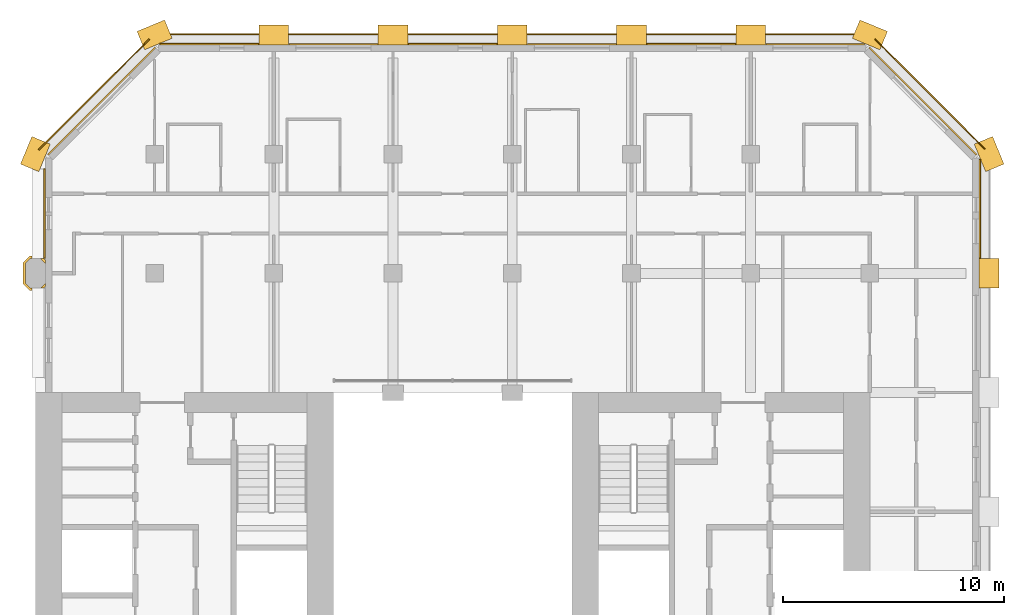
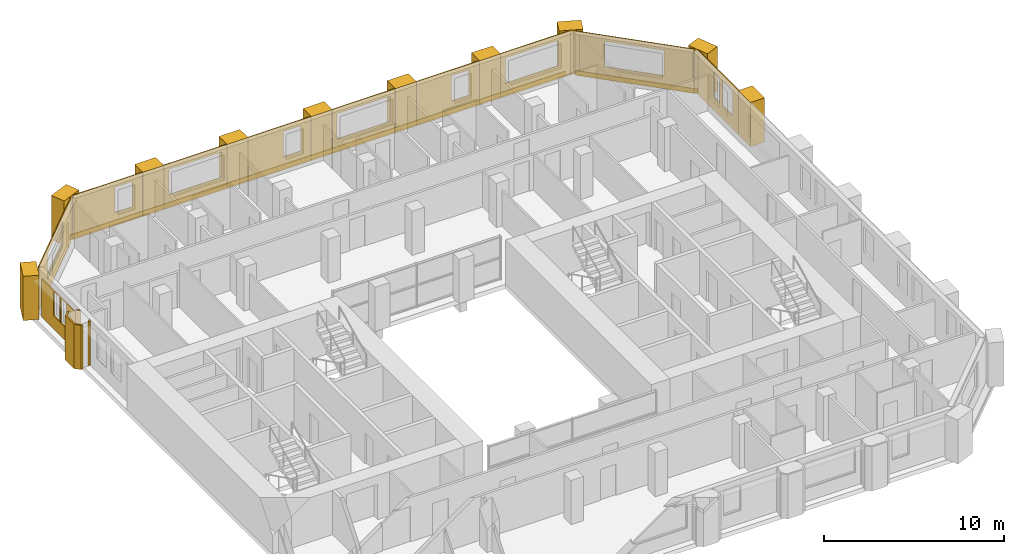
# One storey, part 12 of 12: 26 coverings.
"""IFC4 building model written with IfcOpenShell, lengths in metres."""

from ifc_helpers import new_model, si_unit, direction, frame, frame_2d, origin, place, context, subcontext, project, spatial, polyline, rectangle, outline, extrude, material, layer, layer_set, type_object, element, save


model = new_model("IFC4")

# Units and contexts
model_context = context("Model", 3, precision=1e-05, world=origin(), true_north=direction((0.0, 1.0)))
body_context = subcontext(model_context, "Body", "Model", "MODEL_VIEW")
ifc_project = project(units=[si_unit("LENGTHUNIT", "METRE"), si_unit("AREAUNIT", "SQUARE_METRE"), si_unit("VOLUMEUNIT", "CUBIC_METRE"), si_unit("PLANEANGLEUNIT", "RADIAN"), si_unit("MASSUNIT", "GRAM", prefix="KILO")], contexts=[model_context])

# Site, building, storey
site_placement = place(None, origin())
site = spatial("IfcSite", under=ifc_project, at=site_placement, CompositionType="ELEMENT")
building_placement = place(site_placement, origin())
building = spatial("IfcBuilding", under=site, at=building_placement, Name="Tabaq Tower and Sports Hall", CompositionType="ELEMENT")
storey_placement = place(building_placement, frame((0.0, 0.0, 193.89990234375)))
storey = spatial("IfcBuildingStorey", under=building, at=storey_placement, Name="L47", CompositionType="ELEMENT", Elevation=193.89990234375)

# Coverings
ifc_material_1 = material(Name="Precast concrete C60/75", Category="concrete")
ifc_layer_1 = layer(ifc_material_1, 0.10009765625)
ifc_layer_set_1 = layer_set([ifc_layer_1], Name="Column cladding 100")
covering_type_1 = type_object("IfcCoveringType", Name="Column cladding 100", PredefinedType="CLADDING", material=ifc_layer_set_1)
covering_1_placement = place(storey_placement, origin())
element("IfcCovering", 1, at=covering_1_placement, inside=storey, type_object=covering_type_1, Name="Column cladding L47 PC-2H-H2", PredefinedType="CLADDING", context=body_context, shape_type="SweptSolid", body=[
    extrude(outline(polyline([(5.1337890625, 37.025634765625), (4.8505859375, 37.308837890625), (4.8505859375, 38.291259765625), (5.1337890625, 38.574462890625), (5.24951171875, 38.574462890625), (5.24951171875, 38.4755859375), (5.1748046875, 38.4755859375), (4.949462890625, 38.250244140625), (4.949462890625, 37.349853515625), (5.1748046875, 37.12451171875), (5.24951171875, 37.12451171875), (5.24951171875, 37.025634765625), (5.1337890625, 37.025634765625)])), origin(), (0.0, 0.0, 1.0), 3.0),
])
covering_2_placement = place(storey_placement, origin())
element("IfcCovering", 2, at=covering_2_placement, inside=storey, type_object=covering_type_1, Name="Column cladding L47 PC-2H-H2 2", PredefinedType="CLADDING", context=body_context, shape_type="SweptSolid", body=[
    extrude(outline(polyline([(5.766357421875, 37.125244140625), (5.625732421875, 37.125244140625), (5.849609375, 37.349365234375), (5.849609375, 37.208740234375), (5.766357421875, 37.125244140625)])), origin(), (0.0, 0.0, 1.0), 3.0),
])
covering_3_placement = place(storey_placement, origin())
element("IfcCovering", 3, at=covering_3_placement, inside=storey, type_object=covering_type_1, Name="Column cladding L47 PC-2H-H2 3", PredefinedType="CLADDING", context=body_context, shape_type="SweptSolid", body=[
    extrude(outline(polyline([(5.62646484375, 38.474365234375), (5.76611328125, 38.474365234375), (5.849365234375, 38.39111328125), (5.849365234375, 38.25146484375), (5.62646484375, 38.474365234375)])), origin(), (0.0, 0.0, 1.0), 3.0),
])
ifc_material_2 = material(Name="Precast concrete C60/75", Category="concrete")
ifc_layer_2 = layer(ifc_material_2, 0.06005859375)
ifc_layer_set_2 = layer_set([ifc_layer_2], Name="Edge beam cladding 60")
covering_type_2 = type_object("IfcCoveringType", Name="Edge beam cladding 60", PredefinedType="CLADDING", material=ifc_layer_set_2)
covering_4_placement = place(storey_placement, frame((48.41015625, 43.432373046875, -0.2998046875), z_axis=(0.0, 0.0, 1.0), x_axis=(-0.707106781187, 0.707106781187, 0.0)))
element("IfcCovering", 4, at=covering_4_placement, inside=storey, type_object=covering_type_2, Name="Edge beam cladding L47 3", PredefinedType="CLADDING", context=body_context, shape_type="SweptSolid", body=[
    extrude(rectangle(XDim=7.03955078125, YDim=0.06005859375, at=frame_2d((3.519775390625, 0.0))), origin(), (0.0, 0.0, 1.0), 0.2998046875),
])
covering_5_placement = place(storey_placement, frame((42.9013671875, 48.6298828125, -0.2998046875), z_axis=(0.0, 0.0, 1.0), x_axis=(-1.0, 0.0, 0.0)))
element("IfcCovering", 5, at=covering_5_placement, inside=storey, type_object=covering_type_2, Name="Edge beam cladding L47 4", PredefinedType="CLADDING", context=body_context, shape_type="SweptSolid", body=[
    extrude(rectangle(XDim=31.802734375, YDim=0.06005859375, at=frame_2d((15.9013671875, 0.0))), origin(), (0.0, 0.0, 1.0), 0.2998046875),
])
covering_6_placement = place(storey_placement, frame((10.567626953125, 48.41015625, -0.2998046875), z_axis=(0.0, 0.0, 1.0), x_axis=(-0.707089559252, -0.707124002701, 0.0)))
element("IfcCovering", 6, at=covering_6_placement, inside=storey, type_object=covering_type_2, Name="Edge beam cladding L47 5", PredefinedType="CLADDING", context=body_context, shape_type="SweptSolid", body=[
    extrude(rectangle(XDim=7.088134765625, YDim=0.06005859375, at=frame_2d((3.5439453125, 0.0))), origin(), (0.0, 0.0, 1.0), 0.2998046875),
])
ifc_material_3 = material(Name="White precast concrete C60/75", Category="concrete")
covering_type_3 = type_object("IfcCoveringType", Name="Pier cladding hung 1350x900", PredefinedType="CLADDING", material=ifc_material_3)
for number, where, z_axis, x_axis, name in (
    (7, (5.658203125, 43.82373046875, 0.0), (0.0, 0.0, 1.0), (-0.382649923473, -0.923893411637, 0.0), "Hung pier cladding 1/8"),
    (8, (11.423583984375, 48.8583984375, 0.0), (0.0, 0.0, 1.0), (-0.923893411637, -0.382649923473, 0.0), "Hung pier cladding 2/9"),
    (9, (16.875, 48.60009765625, 0.0), (0.0, 0.0, 1.0), (-1.0, 0.0, 0.0), "Hung pier cladding 3/9"),
):
    element("IfcCovering", number, at=place(storey_placement, frame(where, z_axis=z_axis, x_axis=x_axis)), inside=storey, type_object=covering_type_3, Name=name, PredefinedType="CLADDING", context=body_context, shape_type="SweptSolid", body=[
        extrude(rectangle(XDim=1.35009765625, YDim=0.89990234375, at=frame_2d((0.675048828125, 0.0))), origin(), (0.0, 0.0, 1.0), 3.0),
    ])
covering_7_placement = place(storey_placement, frame((22.27490234375, 48.60009765625, 0.0), z_axis=(0.0, 0.0, 1.0), x_axis=(-1.0, 0.0, 0.0)))
element("IfcCovering", 10, at=covering_7_placement, inside=storey, type_object=covering_type_3, Name="Hung pier cladding 4/9", PredefinedType="CLADDING", context=body_context, shape_type="SweptSolid", body=[
    extrude(rectangle(XDim=1.349853515625, YDim=0.89990234375, at=frame_2d((0.6748046875, 0.0))), origin(), (0.0, 0.0, 1.0), 3.0),
])
covering_8_placement = place(storey_placement, frame((27.675048828125, 48.60009765625, 0.0), z_axis=(0.0, 0.0, 1.0), x_axis=(-1.0, 0.0, 0.0)))
element("IfcCovering", 11, at=covering_8_placement, inside=storey, type_object=covering_type_3, Name="Hung pier cladding 5/9", PredefinedType="CLADDING", context=body_context, shape_type="SweptSolid", body=[
    extrude(rectangle(XDim=1.35009765625, YDim=0.89990234375, at=frame_2d((0.675048828125, 0.0))), origin(), (0.0, 0.0, 1.0), 3.0),
])
covering_9_placement = place(storey_placement, frame((33.074951171875, 48.60009765625, 0.0), z_axis=(0.0, 0.0, 1.0), x_axis=(-1.0, 0.0, 0.0)))
element("IfcCovering", 12, at=covering_9_placement, inside=storey, type_object=covering_type_3, Name="Hung pier cladding 6/9", PredefinedType="CLADDING", context=body_context, shape_type="SweptSolid", body=[
    extrude(rectangle(XDim=1.349853515625, YDim=0.89990234375, at=frame_2d((0.6748046875, 0.0))), origin(), (0.0, 0.0, 1.0), 3.0),
])
for number, where, z_axis, x_axis, name in (
    (13, (38.47509765625, 48.60009765625, 0.0), (0.0, 0.0, 1.0), (-1.0, 0.0, 0.0), "Hung pier cladding 7/9"),
    (14, (43.82373046875, 48.341796875, 0.0), (0.0, 0.0, 1.0), (-0.923893411637, 0.382649923473, 0.0), "Hung pier cladding 8/9"),
    (15, (48.60009765625, 37.125, 0.0), (0.0, 0.0, 1.0), (0.0, 1.0, 0.0), "Hung pier cladding 9/7"),
    (16, (48.8583984375, 42.576416015625, 0.0), (0.0, 0.0, 1.0), (-0.382649923473, 0.923893411637, 0.0), "Hung pier cladding 9/8"),
):
    element("IfcCovering", number, at=place(storey_placement, frame(where, z_axis=z_axis, x_axis=x_axis)), inside=storey, type_object=covering_type_3, Name=name, PredefinedType="CLADDING", context=body_context, shape_type="SweptSolid", body=[
        extrude(rectangle(XDim=1.35009765625, YDim=0.89990234375, at=frame_2d((0.675048828125, 0.0))), origin(), (0.0, 0.0, 1.0), 3.0),
    ])
ifc_material_4 = material(Name="Precast concrete C60/75", Category="concrete")
ifc_layer_3 = layer(ifc_material_4, 0.06005859375)
ifc_layer_set_3 = layer_set([ifc_layer_3], Name="White precast cladding panel 60 C60/75")
covering_type_4 = type_object("IfcCoveringType", Name="White precast cladding panel 60 C60/75", PredefinedType="CLADDING", material=ifc_layer_set_3)
covering_10_placement = place(storey_placement, frame((48.179931640625, 38.485107421875, 0.0), z_axis=(0.0, 0.0, 1.0), x_axis=(0.0, 1.0, 0.0)))
element("IfcCovering", 17, at=covering_10_placement, inside=storey, type_object=covering_type_4, Name="White precast cladding panel L47 wall02 6", PredefinedType="CLADDING", context=body_context, shape_type="SweptSolid", body=[
    extrude(outline(polyline([(0.0, 0.0), (4.4716796875, 0.0), (4.4716796875, 3.0), (0.0, 3.0), (0.0, 0.0)]), holes=[polyline([(0.655029296875, 2.610107421875), (1.77490234375, 2.610107421875), (1.77490234375, 0.89013671875), (0.655029296875, 0.89013671875), (0.655029296875, 2.610107421875)]), polyline([(2.080078125, 2.610107421875), (2.75, 2.610107421875), (2.75, 0.89013671875), (2.080078125, 0.89013671875), (2.080078125, 2.610107421875)])]), frame((0.0, 0.030029296875, 0.0), z_axis=(0.0, -1.0, 0.0), x_axis=(1.0, 0.0, 0.0)), (0.0, 0.0, 1.0), 0.06005859375),
])
covering_11_placement = place(storey_placement, frame((48.0283203125, 43.177734375, 0.0), z_axis=(0.0, 0.0, 1.0), x_axis=(-0.707106781187, 0.707106781187, 0.0)))
element("IfcCovering", 18, at=covering_11_placement, inside=storey, type_object=covering_type_4, Name="White precast cladding panel L47 wall03", PredefinedType="CLADDING", context=body_context, shape_type="SweptSolid", body=[
    extrude(outline(polyline([(0.0, 0.0), (6.85986328125, 0.0), (6.85986328125, 3.0), (0.0, 3.0), (0.0, 0.0)]), holes=[polyline([(1.7197265625, 0.89013671875), (1.7197265625, 2.610107421875), (5.139892578125, 2.610107421875), (5.139892578125, 0.89013671875), (1.7197265625, 0.89013671875)])]), frame((0.0, 0.030029296875, 0.0), z_axis=(0.0, -1.0, 0.0), x_axis=(1.0, 0.0, 0.0)), (0.0, 0.0, 1.0), 0.06005859375),
])
covering_12_placement = place(storey_placement, frame((42.956787109375, 48.179931640625, 0.0), z_axis=(0.0, 0.0, 1.0), x_axis=(-1.0, 0.0, 0.0)))
element("IfcCovering", 19, at=covering_12_placement, inside=storey, type_object=covering_type_4, Name="White precast cladding panel L47 wall04", PredefinedType="CLADDING", context=body_context, shape_type="SweptSolid", body=[
    extrude(outline(polyline([(0.0, 0.0), (4.4716796875, 0.0), (4.4716796875, 3.0), (0.0, 3.0), (0.0, 0.0)]), holes=[polyline([(0.746826171875, 0.89013671875), (0.746826171875, 2.610107421875), (4.166748046875, 2.610107421875), (4.166748046875, 0.89013671875), (0.746826171875, 0.89013671875)])]), frame((0.0, 0.030029296875, 0.0), z_axis=(0.0, -1.0, 0.0), x_axis=(1.0, 0.0, 0.0)), (0.0, 0.0, 1.0), 0.06005859375),
])
covering_13_placement = place(storey_placement, frame((37.114990234375, 48.179931640625, 0.0), z_axis=(0.0, 0.0, 1.0), x_axis=(-1.0, 0.0, 0.0)))
element("IfcCovering", 20, at=covering_13_placement, inside=storey, type_object=covering_type_4, Name="White precast cladding panel L47 wall04 2", PredefinedType="CLADDING", context=body_context, shape_type="SweptSolid", body=[
    extrude(outline(polyline([(0.0, 0.0), (4.030029296875, 0.0), (4.030029296875, 3.0), (0.0, 3.0), (0.0, 0.0)]), holes=[polyline([(0.655029296875, 0.89013671875), (0.655029296875, 2.610107421875), (1.77490234375, 2.610107421875), (1.77490234375, 0.89013671875), (0.655029296875, 0.89013671875)])]), frame((0.0, 0.030029296875, 0.0), z_axis=(0.0, -1.0, 0.0), x_axis=(1.0, 0.0, 0.0)), (0.0, 0.0, 1.0), 0.06005859375),
])
covering_14_placement = place(storey_placement, frame((31.715087890625, 48.179931640625, 0.0), z_axis=(0.0, 0.0, 1.0), x_axis=(-1.0, 0.0, 0.0)))
element("IfcCovering", 21, at=covering_14_placement, inside=storey, type_object=covering_type_4, Name="White precast cladding panel L47 wall04 3", PredefinedType="CLADDING", context=body_context, shape_type="SweptSolid", body=[
    extrude(outline(polyline([(0.0, 0.0), (4.030029296875, 0.0), (4.030029296875, 3.0), (0.0, 3.0), (0.0, 0.0)]), holes=[polyline([(0.304931640625, 0.89013671875), (0.304931640625, 2.610107421875), (3.72509765625, 2.610107421875), (3.72509765625, 0.89013671875), (0.304931640625, 0.89013671875)])]), frame((0.0, 0.030029296875, 0.0), z_axis=(0.0, -1.0, 0.0), x_axis=(1.0, 0.0, 0.0)), (0.0, 0.0, 1.0), 0.06005859375),
])
covering_15_placement = place(storey_placement, frame((26.31494140625, 48.179931640625, 0.0), z_axis=(0.0, 0.0, 1.0), x_axis=(-1.0, 0.0, 0.0)))
element("IfcCovering", 22, at=covering_15_placement, inside=storey, type_object=covering_type_4, Name="White precast cladding panel L47 wall04 4", PredefinedType="CLADDING", context=body_context, shape_type="SweptSolid", body=[
    extrude(outline(polyline([(0.0, 0.0), (4.030029296875, 0.0), (4.030029296875, 3.0), (0.0, 3.0), (0.0, 0.0)]), holes=[polyline([(0.655029296875, 0.89013671875), (0.655029296875, 2.610107421875), (1.77490234375, 2.610107421875), (1.77490234375, 0.89013671875), (0.655029296875, 0.89013671875)])]), frame((0.0, 0.030029296875, 0.0), z_axis=(0.0, -1.0, 0.0), x_axis=(1.0, 0.0, 0.0)), (0.0, 0.0, 1.0), 0.06005859375),
])
covering_16_placement = place(storey_placement, frame((20.9150390625, 48.179931640625, 0.0), z_axis=(0.0, 0.0, 1.0), x_axis=(-1.0, 0.0, 0.0)))
element("IfcCovering", 23, at=covering_16_placement, inside=storey, type_object=covering_type_4, Name="White precast cladding panel L47 wall04 5", PredefinedType="CLADDING", context=body_context, shape_type="SweptSolid", body=[
    extrude(outline(polyline([(0.0, 0.0), (4.030029296875, 0.0), (4.030029296875, 3.0), (0.0, 3.0), (0.0, 0.0)]), holes=[polyline([(0.304931640625, 0.89013671875), (0.304931640625, 2.610107421875), (3.72509765625, 2.610107421875), (3.72509765625, 0.89013671875), (0.304931640625, 0.89013671875)])]), frame((0.0, 0.030029296875, 0.0), z_axis=(0.0, -1.0, 0.0), x_axis=(1.0, 0.0, 0.0)), (0.0, 0.0, 1.0), 0.06005859375),
])
covering_17_placement = place(storey_placement, frame((15.514892578125, 48.179931640625, 0.0), z_axis=(0.0, 0.0, 1.0), x_axis=(-1.0, 0.0, 0.0)))
element("IfcCovering", 24, at=covering_17_placement, inside=storey, type_object=covering_type_4, Name="White precast cladding panel L47 wall04 6", PredefinedType="CLADDING", context=body_context, shape_type="SweptSolid", body=[
    extrude(outline(polyline([(0.0, 0.0), (4.4716796875, 0.0), (4.4716796875, 3.0), (0.0, 3.0), (0.0, 0.0)]), holes=[polyline([(0.655029296875, 0.89013671875), (0.655029296875, 2.610107421875), (1.77490234375, 2.610107421875), (1.77490234375, 0.89013671875), (0.655029296875, 0.89013671875)])]), frame((0.0, 0.030029296875, 0.0), z_axis=(0.0, -1.0, 0.0), x_axis=(1.0, 0.0, 0.0)), (0.0, 0.0, 1.0), 0.06005859375),
])
covering_18_placement = place(storey_placement, frame((10.822265625, 48.0283203125, 0.0), z_axis=(0.0, 0.0, 1.0), x_axis=(-0.707106781187, -0.707106781187, 0.0)))
element("IfcCovering", 25, at=covering_18_placement, inside=storey, type_object=covering_type_4, Name="White precast cladding panel L47 wall05", PredefinedType="CLADDING", context=body_context, shape_type="SweptSolid", body=[
    extrude(outline(polyline([(0.0, 0.0), (6.85986328125, 0.0), (6.85986328125, 3.0), (0.0, 3.0), (0.0, 0.0)]), holes=[polyline([(1.7197265625, 0.89013671875), (1.7197265625, 2.610107421875), (5.139892578125, 2.610107421875), (5.139892578125, 0.89013671875), (1.7197265625, 0.89013671875)])]), frame((0.0, 0.030029296875, 0.0), z_axis=(0.0, -1.0, 0.0), x_axis=(1.0, 0.0, 0.0)), (0.0, 0.0, 1.0), 0.06005859375),
])
covering_19_placement = place(storey_placement, frame((5.820068359375, 42.534912109375, 0.0), z_axis=(0.0, 0.0, 1.0), x_axis=(0.0, -1.0, 0.0)))
element("IfcCovering", 26, at=covering_19_placement, inside=storey, type_object=covering_type_4, Name="White precast cladding panel L47 wall06", PredefinedType="CLADDING", context=body_context, shape_type="SweptSolid", body=[
    extrude(outline(polyline([(0.0, 0.0), (4.0498046875, 0.0), (4.0498046875, 2.590087890625), (0.0, 2.590087890625), (0.0, 0.0)]), holes=[polyline([(1.300048828125, 0.89013671875), (1.300048828125, 2.56005859375), (1.969970703125, 2.56005859375), (1.969970703125, 0.89013671875), (1.300048828125, 0.89013671875)]), polyline([(2.10009765625, 0.89013671875), (2.10009765625, 2.56005859375), (2.77001953125, 2.56005859375), (2.77001953125, 0.89013671875), (2.10009765625, 0.89013671875)])]), frame((0.0, 0.030029296875, 0.0), z_axis=(0.0, -1.0, 0.0), x_axis=(1.0, 0.0, 0.0)), (0.0, 0.0, 1.0), 0.06005859375),
])

save(model, "model.ifc")
